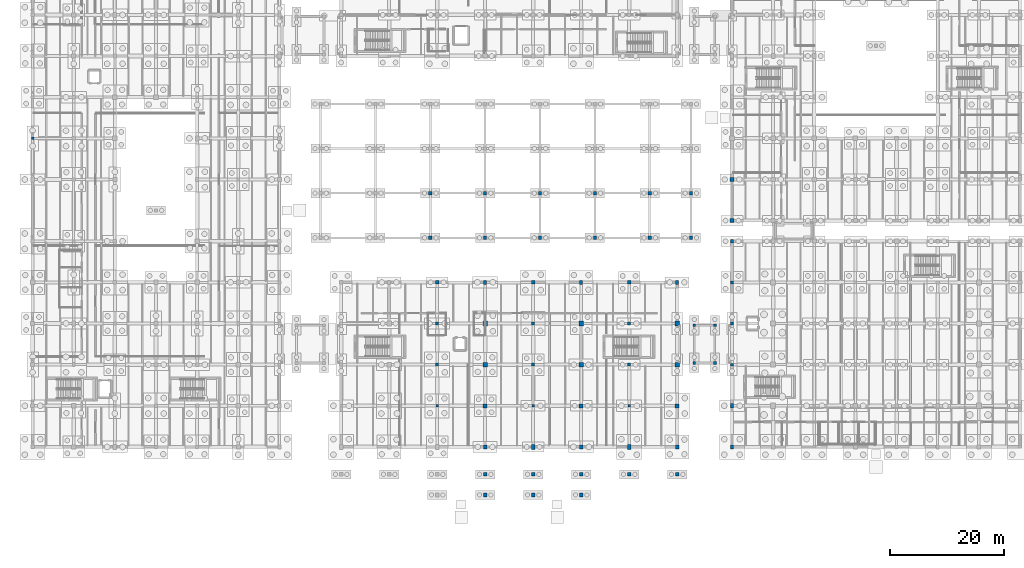
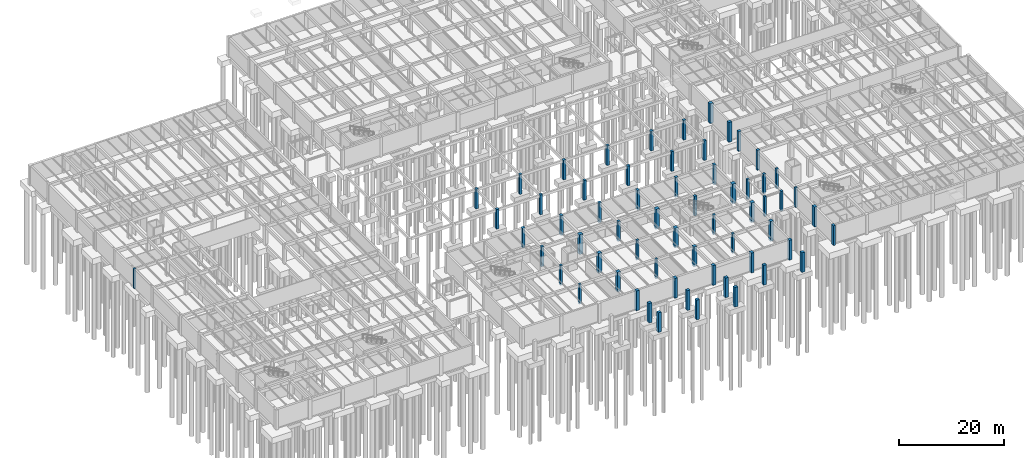
# One storey, part 19 of 63: 62 columns.
"""IFC4 building model written with IfcOpenShell, lengths in metres."""

from ifc_helpers import new_model, si_unit, direction, frame, origin, origin_2d, place, context, subcontext, project, spatial, rectangle, extrude, material, material_profile, profile_set, type_object, element, save


model = new_model("IFC4")

# Units and contexts
model_context = context("Model", 3, precision=1e-05, world=origin(), true_north=direction((0.0, 1.0)))
body_context = subcontext(model_context, "Body", "Model", "MODEL_VIEW")
ifc_project = project(units=[si_unit("LENGTHUNIT", "METRE"), si_unit("AREAUNIT", "SQUARE_METRE"), si_unit("VOLUMEUNIT", "CUBIC_METRE"), si_unit("PLANEANGLEUNIT", "RADIAN"), si_unit("MASSUNIT", "GRAM", prefix="KILO")], contexts=[model_context])

# Site, building, storey
site_placement = place(None, origin())
site = spatial("IfcSite", under=ifc_project, at=site_placement, CompositionType="ELEMENT")
building_placement = place(site_placement, origin())
building = spatial("IfcBuilding", under=site, at=building_placement, Name="Mazaris Harbour Polytechnic", CompositionType="ELEMENT")
storey_placement = place(building_placement, frame((0.0, 0.0, -4.5)))
storey = spatial("IfcBuildingStorey", under=building, at=storey_placement, Name="B1", CompositionType="ELEMENT", Elevation=-4.5)

# Columns
ifc_material_1 = material(Name="Concrete C40/50", Category="concrete")
ifc_material_profile_1 = material_profile(ifc_material_1, rectangle(XDim=0.449951171875, YDim=0.449951171875, at=origin_2d()), Name="RECT450x450")
ifc_profile_set_1 = profile_set([ifc_material_profile_1], Name="Concrete C40/50")
column_type_1 = type_object("IfcColumnType", Name="RC Column 450x450", PredefinedType="COLUMN", material=ifc_profile_set_1)
for number, where, z_axis, x_axis, name in (
    (1, (122.39990234375, 21.60009765625, -0.419921875), (0.0, 0.0, 1.0), (1.0, 0.0, 0.0), "V2 B1 Column 179"),
    (2, (70.800048828125, 14.39990234375, -0.419921875), (0.0, 0.0, 1.0), (1.0, 0.0, 0.0), "V3 B1 Column 399"),
    (3, (87.60009765625, 14.39990234375, -0.419921875), (0.0, 0.0, 1.0), (1.0, 0.0, 0.0), "V3 B1 Column 409"),
    (4, (104.39990234375, 14.39990234375, -0.419921875), (0.0, 0.0, 1.0), (1.0, 0.0, 0.0), "V3 B1 Column 419"),
    (5, (0.0, 61.199951171875, -0.419921875), (0.0, 0.0, 1.0), (1.0, 0.0, 0.0), "V4 B1 Column 559"),
):
    element("IfcColumn", number, at=place(storey_placement, frame(where, z_axis=z_axis, x_axis=x_axis)), inside=storey, type_object=column_type_1, Name=name, PredefinedType="COLUMN", context=body_context, shape_type="SweptSolid", body=[
        extrude(rectangle(XDim=0.449951171875, YDim=0.449951171875, at=origin_2d()), origin(), (0.0, 0.0, 1.0), 4.599853515625),
    ])
ifc_material_2 = material(Name="Concrete C40/50", Category="concrete")
ifc_material_profile_2 = material_profile(ifc_material_2, rectangle(XDim=0.5, YDim=0.5, at=origin_2d()), Name="RECT500x500")
ifc_profile_set_2 = profile_set([ifc_material_profile_2], Name="Concrete C40/50")
column_type_2 = type_object("IfcColumnType", Name="RC Column 500x500", PredefinedType="COLUMN", material=ifc_profile_set_2)
for number, where, z_axis, x_axis, name in (
    (6, (122.39990234375, 28.800048828125, -0.419921875), (0.0, 0.0, 1.0), (1.0, 0.0, 0.0), "V2 B1 Column 180"),
    (7, (70.800048828125, 21.60009765625, -0.419921875), (0.0, 0.0, 1.0), (1.0, 0.0, 0.0), "V3 B1 Column 400"),
    (8, (87.60009765625, 21.60009765625, -0.419921875), (0.0, 0.0, 1.0), (1.0, 0.0, 0.0), "V3 B1 Column 410"),
    (9, (104.39990234375, 21.60009765625, -0.419921875), (0.0, 0.0, 1.0), (1.0, 0.0, 0.0), "V3 B1 Column 420"),
):
    element("IfcColumn", number, at=place(storey_placement, frame(where, z_axis=z_axis, x_axis=x_axis)), inside=storey, type_object=column_type_2, Name=name, PredefinedType="COLUMN", context=body_context, shape_type="SweptSolid", body=[
        extrude(rectangle(XDim=0.5, YDim=0.5, at=origin_2d()), origin(), (0.0, 0.0, 1.0), 4.599853515625),
    ])
for number, where, z_axis, x_axis, name in (
    (10, (115.800048828125, 21.89990234375, -0.3798828125), (0.0, 0.0, 1.0), (1.0, 0.0, 0.0), "PB-E1 B1 Bridge Column 1544"),
    (11, (119.39990234375, 21.89990234375, -0.3798828125), (0.0, 0.0, 1.0), (1.0, 0.0, 0.0), "PB-E1 B1 Bridge Column 1545"),
    (12, (115.800048828125, 28.5, -0.3798828125), (0.0, 0.0, 1.0), (1.0, 0.0, 0.0), "PB-E1 B1 Bridge Column 1546"),
    (13, (119.39990234375, 28.5, -0.3798828125), (0.0, 0.0, 1.0), (1.0, 0.0, 0.0), "PB-E1 B1 Bridge Column 1547"),
):
    element("IfcColumn", number, at=place(storey_placement, frame(where, z_axis=z_axis, x_axis=x_axis)), inside=storey, type_object=column_type_2, Name=name, PredefinedType="COLUMN", context=body_context, shape_type="SweptSolid", body=[
        extrude(rectangle(XDim=0.5, YDim=0.5, at=origin_2d()), origin(), (0.0, 0.0, 1.0), 4.614990234375),
    ])
ifc_material_3 = material(Name="Concrete C40/50", Category="concrete")
ifc_material_profile_3 = material_profile(ifc_material_3, rectangle(XDim=0.5, YDim=0.699951171875, at=origin_2d()), Name="RECT500x700")
ifc_profile_set_3 = profile_set([ifc_material_profile_3], Name="Concrete C40/50")
column_type_3 = type_object("IfcColumnType", Name="RC Column 500x700", PredefinedType="COLUMN", material=ifc_profile_set_3)
for number, where, z_axis, x_axis, name in (
    (14, (122.39990234375, 7.199951171875, -0.419921875), (0.0, 0.0, 1.0), (1.0, 0.0, 0.0), "V2 B1 Column 177"),
    (15, (79.199951171875, 36.0, -0.419921875), (0.0, 0.0, 1.0), (1.0, 0.0, 0.0), "V3 B1 Column 407"),
    (16, (96.0, 36.0, -0.419921875), (0.0, 0.0, 1.0), (1.0, 0.0, 0.0), "V3 B1 Column 417"),
    (17, (112.800048828125, 36.0, -0.419921875), (0.0, 0.0, 1.0), (1.0, 0.0, 0.0), "V3 B1 Column 427"),
):
    element("IfcColumn", number, at=place(storey_placement, frame(where, z_axis=z_axis, x_axis=x_axis)), inside=storey, type_object=column_type_3, Name=name, PredefinedType="COLUMN", context=body_context, shape_type="SweptSolid", body=[
        extrude(rectangle(XDim=0.5, YDim=0.699951171875, at=origin_2d()), origin(), (0.0, 0.0, 1.0), 4.599853515625),
    ])
ifc_material_4 = material(Name="Concrete C40/50", Category="concrete")
ifc_material_profile_4 = material_profile(ifc_material_4, rectangle(XDim=0.550048828125, YDim=0.550048828125, at=origin_2d()), Name="RECT550x550")
ifc_profile_set_4 = profile_set([ifc_material_profile_4], Name="Concrete C40/50")
column_type_4 = type_object("IfcColumnType", Name="RC Column 550x550", PredefinedType="COLUMN", material=ifc_profile_set_4)
for number, where, z_axis, x_axis, name in (
    (18, (122.39990234375, 36.0, -0.419921875), (0.0, 0.0, 1.0), (1.0, 0.0, 0.0), "V2 B1 Column 181"),
    (19, (70.800048828125, 28.800048828125, -0.419921875), (0.0, 0.0, 1.0), (1.0, 0.0, 0.0), "V3 B1 Column 401"),
    (20, (87.60009765625, 28.800048828125, -0.419921875), (0.0, 0.0, 1.0), (1.0, 0.0, 0.0), "V3 B1 Column 411"),
    (21, (104.39990234375, 28.800048828125, -0.419921875), (0.0, 0.0, 1.0), (1.0, 0.0, 0.0), "V3 B1 Column 421"),
):
    element("IfcColumn", number, at=place(storey_placement, frame(where, z_axis=z_axis, x_axis=x_axis)), inside=storey, type_object=column_type_4, Name=name, PredefinedType="COLUMN", context=body_context, shape_type="SweptSolid", body=[
        extrude(rectangle(XDim=0.550048828125, YDim=0.550048828125, at=origin_2d()), origin(), (0.0, 0.0, 1.0), 4.599853515625),
    ])
for number, where, z_axis, x_axis, name in (
    (22, (69.60009765625, 43.800048828125, -0.3798828125), (0.0, 0.0, 1.0), (1.0, 0.0, 0.0), "Courtyard Deck Support Column 9"),
    (23, (69.60009765625, 51.60009765625, -0.3798828125), (0.0, 0.0, 1.0), (1.0, 0.0, 0.0), "Courtyard Deck Support Column 10"),
    (24, (79.199951171875, 43.800048828125, -0.3798828125), (0.0, 0.0, 1.0), (1.0, 0.0, 0.0), "Courtyard Deck Support Column 13"),
    (25, (79.199951171875, 51.60009765625, -0.3798828125), (0.0, 0.0, 1.0), (1.0, 0.0, 0.0), "Courtyard Deck Support Column 14"),
    (26, (88.800048828125, 43.800048828125, -0.3798828125), (0.0, 0.0, 1.0), (1.0, 0.0, 0.0), "Courtyard Deck Support Column 17"),
    (27, (88.800048828125, 51.60009765625, -0.3798828125), (0.0, 0.0, 1.0), (1.0, 0.0, 0.0), "Courtyard Deck Support Column 18"),
    (28, (98.39990234375, 43.800048828125, -0.3798828125), (0.0, 0.0, 1.0), (1.0, 0.0, 0.0), "Courtyard Deck Support Column 21"),
    (29, (98.39990234375, 51.60009765625, -0.3798828125), (0.0, 0.0, 1.0), (1.0, 0.0, 0.0), "Courtyard Deck Support Column 22"),
    (30, (108.0, 43.800048828125, -0.3798828125), (0.0, 0.0, 1.0), (1.0, 0.0, 0.0), "Courtyard Deck Support Column 25"),
    (31, (108.0, 51.60009765625, -0.3798828125), (0.0, 0.0, 1.0), (1.0, 0.0, 0.0), "Courtyard Deck Support Column 26"),
    (32, (115.199951171875, 43.800048828125, -0.3798828125), (0.0, 0.0, 1.0), (1.0, 0.0, 0.0), "Courtyard Deck Support Column 29"),
    (33, (115.199951171875, 51.60009765625, -0.3798828125), (0.0, 0.0, 1.0), (1.0, 0.0, 0.0), "Courtyard Deck Support Column 30"),
):
    element("IfcColumn", number, at=place(storey_placement, frame(where, z_axis=z_axis, x_axis=x_axis)), inside=storey, type_object=column_type_4, Name=name, PredefinedType="COLUMN", context=body_context, shape_type="SweptSolid", body=[
        extrude(rectangle(XDim=0.550048828125, YDim=0.550048828125, at=origin_2d()), origin(), (0.0, 0.0, 1.0), 4.579833984375),
    ])
ifc_material_5 = material(Name="Concrete C40/50", Category="concrete")
ifc_material_profile_5 = material_profile(ifc_material_5, rectangle(XDim=0.60009765625, YDim=0.60009765625, at=origin_2d()), Name="RECT600x600")
ifc_profile_set_5 = profile_set([ifc_material_profile_5], Name="Concrete C40/50")
column_type_5 = type_object("IfcColumnType", Name="RC Column 600x600", PredefinedType="COLUMN", material=ifc_profile_set_5)
for number, where, z_axis, x_axis, name in (
    (34, (122.39990234375, 43.199951171875, -0.419921875), (0.0, 0.0, 1.0), (1.0, 0.0, 0.0), "V2 B1 Column 182"),
    (35, (70.800048828125, 36.0, -0.419921875), (0.0, 0.0, 1.0), (1.0, 0.0, 0.0), "V3 B1 Column 402"),
    (36, (87.60009765625, 36.0, -0.419921875), (0.0, 0.0, 1.0), (1.0, 0.0, 0.0), "V3 B1 Column 412"),
    (37, (104.39990234375, 36.0, -0.419921875), (0.0, 0.0, 1.0), (1.0, 0.0, 0.0), "V3 B1 Column 422"),
):
    element("IfcColumn", number, at=place(storey_placement, frame(where, z_axis=z_axis, x_axis=x_axis)), inside=storey, type_object=column_type_5, Name=name, PredefinedType="COLUMN", context=body_context, shape_type="SweptSolid", body=[
        extrude(rectangle(XDim=0.60009765625, YDim=0.60009765625, at=origin_2d()), origin(), (0.0, 0.0, 1.0), 4.599853515625),
    ])
ifc_material_6 = material(Name="Concrete C40/50", Category="concrete")
ifc_material_profile_6 = material_profile(ifc_material_6, rectangle(XDim=0.60009765625, YDim=0.85009765625, at=origin_2d()), Name="RECT600x850")
ifc_profile_set_6 = profile_set([ifc_material_profile_6], Name="Concrete C40/50")
column_type_6 = type_object("IfcColumnType", Name="RC Column 600x850", PredefinedType="COLUMN", material=ifc_profile_set_6)
for number, where, z_axis, x_axis, name in (
    (38, (122.39990234375, 14.39990234375, -0.419921875), (0.0, 0.0, 1.0), (1.0, 0.0, 0.0), "V2 B1 Column 178"),
    (39, (87.60009765625, 7.199951171875, -0.419921875), (0.0, 0.0, 1.0), (1.0, 0.0, 0.0), "V3 B1 Column 408"),
    (40, (104.39990234375, 7.199951171875, -0.419921875), (0.0, 0.0, 1.0), (1.0, 0.0, 0.0), "V3 B1 Column 418"),
):
    element("IfcColumn", number, at=place(storey_placement, frame(where, z_axis=z_axis, x_axis=x_axis)), inside=storey, type_object=column_type_6, Name=name, PredefinedType="COLUMN", context=body_context, shape_type="SweptSolid", body=[
        extrude(rectangle(XDim=0.60009765625, YDim=0.85009765625, at=origin_2d()), origin(), (0.0, 0.0, 1.0), 4.599853515625),
    ])
ifc_material_7 = material(Name="Concrete C40/50", Category="concrete")
ifc_material_profile_7 = material_profile(ifc_material_7, rectangle(XDim=0.64990234375, YDim=0.64990234375, at=origin_2d()), Name="RECT650x650")
ifc_profile_set_7 = profile_set([ifc_material_profile_7], Name="Concrete C40/50")
column_type_7 = type_object("IfcColumnType", Name="RC Column 650x650", PredefinedType="COLUMN", material=ifc_profile_set_7)
for number, where, z_axis, x_axis, name in (
    (41, (79.199951171875, 7.199951171875, -0.419921875), (0.0, 0.0, 1.0), (1.0, 0.0, 0.0), "V3 B1 Column 403"),
    (42, (96.0, 7.199951171875, -0.419921875), (0.0, 0.0, 1.0), (1.0, 0.0, 0.0), "V3 B1 Column 413"),
    (43, (112.800048828125, 7.199951171875, -0.419921875), (0.0, 0.0, 1.0), (1.0, 0.0, 0.0), "V3 B1 Column 423"),
):
    element("IfcColumn", number, at=place(storey_placement, frame(where, z_axis=z_axis, x_axis=x_axis)), inside=storey, type_object=column_type_7, Name=name, PredefinedType="COLUMN", context=body_context, shape_type="SweptSolid", body=[
        extrude(rectangle(XDim=0.64990234375, YDim=0.64990234375, at=origin_2d()), origin(), (0.0, 0.0, 1.0), 4.599853515625),
    ])
for number, where, z_axis, x_axis, name in (
    (44, (79.199951171875, 2.39990234375, -0.3798828125), (0.0, 0.0, 1.0), (1.0, 0.0, 0.0), "Colonnade Foundation Column B1-4"),
    (45, (87.60009765625, 2.39990234375, -0.3798828125), (0.0, 0.0, 1.0), (1.0, 0.0, 0.0), "Colonnade Foundation Column B1-5"),
    (46, (96.0, 2.39990234375, -0.3798828125), (0.0, 0.0, 1.0), (1.0, 0.0, 0.0), "Colonnade Foundation Column B1-6"),
    (47, (104.39990234375, 2.39990234375, -0.3798828125), (0.0, 0.0, 1.0), (1.0, 0.0, 0.0), "Colonnade Foundation Column B1-7"),
    (48, (112.800048828125, 2.39990234375, -0.3798828125), (0.0, 0.0, 1.0), (1.0, 0.0, 0.0), "Colonnade Foundation Column B1-8"),
    (49, (79.199951171875, -1.199951171875, -0.3798828125), (0.0, 0.0, 1.0), (1.0, 0.0, 0.0), "Portico Foundation Column B1-2"),
    (50, (87.60009765625, -1.199951171875, -0.3798828125), (0.0, 0.0, 1.0), (1.0, 0.0, 0.0), "Portico Foundation Column B1-3"),
    (51, (96.0, -1.199951171875, -0.3798828125), (0.0, 0.0, 1.0), (1.0, 0.0, 0.0), "Portico Foundation Column B1-4"),
):
    element("IfcColumn", number, at=place(storey_placement, frame(where, z_axis=z_axis, x_axis=x_axis)), inside=storey, type_object=column_type_7, Name=name, PredefinedType="COLUMN", context=body_context, shape_type="SweptSolid", body=[
        extrude(rectangle(XDim=0.64990234375, YDim=0.64990234375, at=origin_2d()), origin(), (0.0, 0.0, 1.0), 4.579833984375),
    ])
ifc_material_8 = material(Name="Concrete C40/50", Category="concrete")
ifc_material_profile_8 = material_profile(ifc_material_8, rectangle(XDim=0.699951171875, YDim=0.699951171875, at=origin_2d()), Name="RECT700x700")
ifc_profile_set_8 = profile_set([ifc_material_profile_8], Name="Concrete C40/50")
column_type_8 = type_object("IfcColumnType", Name="RC Column 700x700", PredefinedType="COLUMN", material=ifc_profile_set_8)
for number, where, z_axis, x_axis, name in (
    (52, (79.199951171875, 14.39990234375, -0.419921875), (0.0, 0.0, 1.0), (1.0, 0.0, 0.0), "V3 B1 Column 404"),
    (53, (96.0, 14.39990234375, -0.419921875), (0.0, 0.0, 1.0), (1.0, 0.0, 0.0), "V3 B1 Column 414"),
    (54, (112.800048828125, 14.39990234375, -0.419921875), (0.0, 0.0, 1.0), (1.0, 0.0, 0.0), "V3 B1 Column 424"),
    (55, (122.39990234375, 46.800048828125, -0.419921875), (0.0, 0.0, 1.0), (1.0, 0.0, 0.0), "V5 B1 Column 1104"),
):
    element("IfcColumn", number, at=place(storey_placement, frame(where, z_axis=z_axis, x_axis=x_axis)), inside=storey, type_object=column_type_8, Name=name, PredefinedType="COLUMN", context=body_context, shape_type="SweptSolid", body=[
        extrude(rectangle(XDim=0.699951171875, YDim=0.699951171875, at=origin_2d()), origin(), (0.0, 0.0, 1.0), 4.599853515625),
    ])
ifc_material_9 = material(Name="Concrete C40/50", Category="concrete")
ifc_material_profile_9 = material_profile(ifc_material_9, rectangle(XDim=0.75, YDim=0.75, at=origin_2d()), Name="RECT750x750")
ifc_profile_set_9 = profile_set([ifc_material_profile_9], Name="Concrete C40/50")
column_type_9 = type_object("IfcColumnType", Name="RC Column 750x750", PredefinedType="COLUMN", material=ifc_profile_set_9)
for number, where, z_axis, x_axis, name in (
    (56, (79.199951171875, 21.60009765625, -0.419921875), (0.0, 0.0, 1.0), (1.0, 0.0, 0.0), "V3 B1 Column 405"),
    (57, (96.0, 21.60009765625, -0.419921875), (0.0, 0.0, 1.0), (1.0, 0.0, 0.0), "V3 B1 Column 415"),
    (58, (112.800048828125, 21.60009765625, -0.419921875), (0.0, 0.0, 1.0), (1.0, 0.0, 0.0), "V3 B1 Column 425"),
    (59, (122.39990234375, 54.0, -0.419921875), (0.0, 0.0, 1.0), (1.0, 0.0, 0.0), "V5 B1 Column 1105"),
):
    element("IfcColumn", number, at=place(storey_placement, frame(where, z_axis=z_axis, x_axis=x_axis)), inside=storey, type_object=column_type_9, Name=name, PredefinedType="COLUMN", context=body_context, shape_type="SweptSolid", body=[
        extrude(rectangle(XDim=0.75, YDim=0.75, at=origin_2d()), origin(), (0.0, 0.0, 1.0), 4.599853515625),
    ])
ifc_material_10 = material(Name="Concrete C40/50", Category="concrete")
ifc_material_profile_10 = material_profile(ifc_material_10, rectangle(XDim=0.800048828125, YDim=0.800048828125, at=origin_2d()), Name="RECT800x800")
ifc_profile_set_10 = profile_set([ifc_material_profile_10], Name="Concrete C40/50")
column_type_10 = type_object("IfcColumnType", Name="RC Column 800x800", PredefinedType="COLUMN", material=ifc_profile_set_10)
for number, where, z_axis, x_axis, name in (
    (60, (79.199951171875, 28.800048828125, -0.419921875), (0.0, 0.0, 1.0), (1.0, 0.0, 0.0), "V3 B1 Column 406"),
    (61, (96.0, 28.800048828125, -0.419921875), (0.0, 0.0, 1.0), (1.0, 0.0, 0.0), "V3 B1 Column 416"),
    (62, (112.800048828125, 28.800048828125, -0.419921875), (0.0, 0.0, 1.0), (1.0, 0.0, 0.0), "V3 B1 Column 426"),
):
    element("IfcColumn", number, at=place(storey_placement, frame(where, z_axis=z_axis, x_axis=x_axis)), inside=storey, type_object=column_type_10, Name=name, PredefinedType="COLUMN", context=body_context, shape_type="SweptSolid", body=[
        extrude(rectangle(XDim=0.800048828125, YDim=0.800048828125, at=origin_2d()), origin(), (0.0, 0.0, 1.0), 4.599853515625),
    ])

save(model, "model.ifc")
